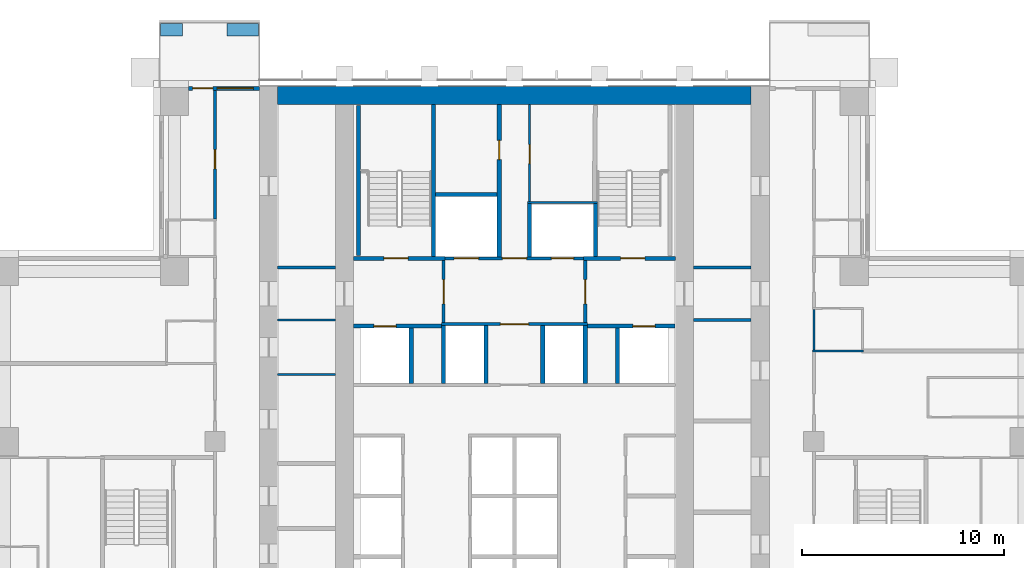
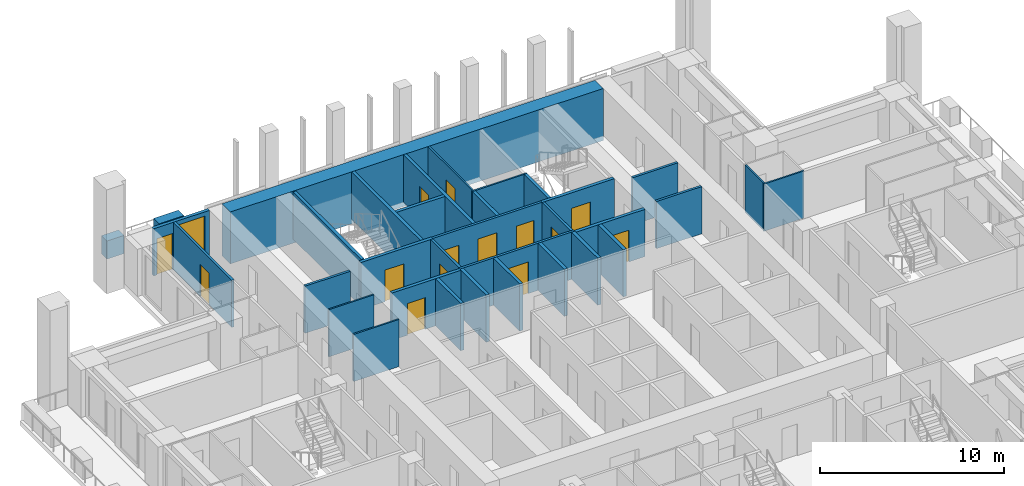
# One storey, part 11 of 18: 34 walls, 14 doors, 1 window, 15 openings.
"""IFC4 building model written with IfcOpenShell, lengths in metres."""

from ifc_helpers import new_model, si_unit, direction, frame, frame_2d, origin, place, context, subcontext, project, spatial, rectangle, extrude, material, layer, layer_set, type_object, element, fill, save


model = new_model("IFC4")

# Units and contexts
model_context = context("Model", 3, precision=1e-05, world=origin(), true_north=direction((0.0, 1.0)))
body_context = subcontext(model_context, "Body", "Model", "MODEL_VIEW")
ifc_project = project(units=[si_unit("LENGTHUNIT", "METRE"), si_unit("AREAUNIT", "SQUARE_METRE"), si_unit("VOLUMEUNIT", "CUBIC_METRE"), si_unit("PLANEANGLEUNIT", "RADIAN"), si_unit("MASSUNIT", "GRAM", prefix="KILO")], contexts=[model_context])

# Site, building, storey
site_placement = place(None, origin())
site = spatial("IfcSite", under=ifc_project, at=site_placement, CompositionType="ELEMENT")
building_placement = place(site_placement, origin())
building = spatial("IfcBuilding", under=site, at=building_placement, Name="Vermilion Ogive Tower", CompositionType="ELEMENT")
storey_placement = place(building_placement, frame((0.0, 0.0, 55.199951171875)))
storey = spatial("IfcBuildingStorey", under=building, at=storey_placement, Name="L12", CompositionType="ELEMENT", Elevation=55.199951171875)

# Walls
ifc_material_1 = material(Name="Gypsum board partition on steel studs", Category="steel")
ifc_layer_1 = layer(ifc_material_1, 0.10009765625)
ifc_layer_set_1 = layer_set([ifc_layer_1], Name="Partition 100 bath")
wall_type_1 = type_object("IfcWallType", Name="Partition 100 bath", PredefinedType="PARTITIONING", material=ifc_layer_set_1)
wall_1_placement = place(storey_placement, frame((14.72509765625, 8.679931640625, 0.0), z_axis=(0.0, 0.0, 1.0), x_axis=(1.0, 0.0, 0.0)))
element("IfcWall", 1, at=wall_1_placement, inside=storey, type_object=wall_type_1, Name="L12-W-W031", PredefinedType="PARTITIONING", context=body_context, shape_type="SweptSolid", body=[
    extrude(rectangle(XDim=2.52490234375, YDim=0.10009765625, at=frame_2d((1.262451171875, 0.0))), origin(), (0.0, 0.0, 1.0), 3.130126953125),
])
wall_2_placement = place(storey_placement, frame((14.800048828125, 8.72998046875, 0.0), z_axis=(0.0, 0.0, 1.0), x_axis=(0.0, 1.0, 0.0)))
element("IfcWall", 2, at=wall_2_placement, inside=storey, type_object=wall_type_1, Name="L12-W-W072", PredefinedType="PARTITIONING", context=body_context, shape_type="SweptSolid", body=[
    extrude(rectangle(XDim=2.0, YDim=0.10009765625, at=frame_2d((1.0, 0.0))), origin(), (0.0, 0.0, 1.0), 3.130126953125),
])
wall_3_placement = place(storey_placement, frame((0.64990234375, 16.0, 0.0), z_axis=(0.0, 0.0, 1.0), x_axis=(1.0, 0.0, 0.0)))
element("IfcWall", 3, at=wall_3_placement, inside=storey, type_object=wall_type_1, Name="L12-CK-W-W020", PredefinedType="PARTITIONING", context=body_context, shape_type="SweptSolid", body=[
    extrude(rectangle(XDim=3.4501953125, YDim=0.10009765625, at=frame_2d((1.72509765625, 0.0))), origin(), (0.0, 0.0, 1.0), 3.130126953125),
])

# Wall, opening, door
wall_4_placement = place(storey_placement, frame((0.75, 16.050048828125, 0.0), z_axis=(0.0, 0.0, 1.0), x_axis=(0.0, 1.0, 0.0)))
wall_4 = element("IfcWall", 4, at=wall_4_placement, inside=storey, type_object=wall_type_1, Name="L12-CK-W-W032", PredefinedType="PARTITIONING", context=body_context, shape_type="SweptSolid", body=[
    extrude(rectangle(XDim=4.799072265625, YDim=0.10009765625, at=frame_2d((2.3994140625, 0.0))), origin(), (0.0, 0.0, 1.0), 3.130126953125),
])
opening_1_placement = place(wall_4_placement, frame((1.875, 0.0, 0.0)))
opening_1 = element("IfcOpeningElement", 5, at=opening_1_placement, cuts=wall_4, Name="Opening DAA076", PredefinedType="OPENING", context=body_context, shape_type="SweptSolid", body=[
    extrude(rectangle(XDim=0.949951171875, YDim=2.10009765625, at=frame_2d((0.47509765625, 1.050048828125))), frame((0.0, 0.06005859375, 0.0), z_axis=(0.0, -1.0, 0.0), x_axis=(1.0, 0.0, 0.0)), (0.0, 0.0, 1.0), 0.1201171875),
])
ifc_material_2 = material(Name="Timber door leaf", Category="wood")
door_type_1 = type_object("IfcDoorType", Name="Service door 950 x 2100 FD60", OperationType="SINGLE_SWING_LEFT", PredefinedType="DOOR", material=ifc_material_2)
door_1_placement = place(opening_1_placement, origin())
door_1 = element("IfcDoor", 6, at=door_1_placement, inside=storey, type_object=door_type_1, Name="L12-CK-D-D021", OperationType="SINGLE_SWING_LEFT", OverallHeight=2.10009765625, OverallWidth=0.949951171875, PredefinedType="DOOR", context=body_context, shape_type="SweptSolid", body=[
    extrude(rectangle(XDim=0.949951171875, YDim=2.10009765625, at=frame_2d((0.47509765625, 1.050048828125))), frame((0.0, 0.02490234375, 0.0), z_axis=(0.0, -1.0, 0.0), x_axis=(1.0, 0.0, 0.0)), (0.0, 0.0, 1.0), 0.050048828125),
])
fill(opening_1, door_1)

# Walls
for number, where, z_axis, x_axis, name in (
    (7, (-11.698974609375, 7.5, 0.0), (0.0, 0.0, 1.0), (1.0, 0.0, 0.0), "L12-CKW-W-W004"),
    (8, (-11.698974609375, 10.199951171875, 0.0), (0.0, 0.0, 1.0), (1.0, 0.0, 0.0), "L12-CKW-W-W005"),
):
    element("IfcWall", number, at=place(storey_placement, frame(where, z_axis=z_axis, x_axis=x_axis)), inside=storey, type_object=wall_type_1, Name=name, PredefinedType="PARTITIONING", context=body_context, shape_type="SweptSolid", body=[
        extrude(rectangle(XDim=2.847900390625, YDim=0.10009765625, at=frame_2d((1.423828125, 0.0))), origin(), (0.0, 0.0, 1.0), 3.130126953125),
    ])

# Wall, opening, door
ifc_material_3 = material(Name="Gypsum board partition on steel studs", Category="steel")
ifc_layer_2 = layer(ifc_material_3, 0.14990234375)
ifc_layer_set_2 = layer_set([ifc_layer_2], Name="Partition 150 corridor")
wall_type_2 = type_object("IfcWallType", Name="Partition 150 corridor", PredefinedType="PARTITIONING", material=ifc_layer_set_2)
wall_5_placement = place(storey_placement, frame((-14.800048828125, 15.199951171875, 0.0), z_axis=(0.0, 0.0, 1.0), x_axis=(0.0, 1.0, 0.0)))
wall_5 = element("IfcWall", 9, at=wall_5_placement, inside=storey, type_object=wall_type_2, Name="L12-W-W053", PredefinedType="PARTITIONING", context=body_context, shape_type="SweptSolid", body=[
    extrude(rectangle(XDim=6.35009765625, YDim=0.14990234375, at=frame_2d((3.175048828125, 0.0))), origin(), (0.0, 0.0, 1.0), 3.130126953125),
])
opening_2_placement = place(wall_5_placement, frame((2.47509765625, 0.0, 0.0)))
opening_2 = element("IfcOpeningElement", 10, at=opening_2_placement, cuts=wall_5, Name="Opening D1G4010", PredefinedType="OPENING", context=body_context, shape_type="SweptSolid", body=[
    extrude(rectangle(XDim=0.949951171875, YDim=2.10009765625, at=frame_2d((0.47509765625, 1.050048828125))), frame((0.0, 0.0849609375, 0.0), z_axis=(0.0, -1.0, 0.0), x_axis=(1.0, 0.0, 0.0)), (0.0, 0.0, 1.0), 0.169921875),
])
ifc_material_4 = material(Name="Timber door leaf", Category="wood")
door_type_2 = type_object("IfcDoorType", Name="Unit door 950 x 2100 FD30S", OperationType="SINGLE_SWING_LEFT", PredefinedType="DOOR", material=ifc_material_4)
door_2_placement = place(opening_2_placement, origin())
door_2 = element("IfcDoor", 11, at=door_2_placement, inside=storey, type_object=door_type_2, Name="L12-D-D010", OperationType="SINGLE_SWING_RIGHT", OverallHeight=2.10009765625, OverallWidth=0.949951171875, PredefinedType="DOOR", context=body_context, shape_type="SweptSolid", body=[
    extrude(rectangle(XDim=0.949951171875, YDim=2.10009765625, at=frame_2d((0.47509765625, 1.050048828125))), frame((0.0, 0.02490234375, 0.0), z_axis=(0.0, -1.0, 0.0), x_axis=(1.0, 0.0, 0.0)), (0.0, 0.0, 1.0), 0.050048828125),
])
fill(opening_2, door_2)

wall_6_placement = place(storey_placement, frame((-3.60009765625, 10.0, 0.0), z_axis=(0.0, 0.0, 1.0), x_axis=(1.0, 0.0, 0.0)))
wall_6 = element("IfcWall", 12, at=wall_6_placement, inside=storey, type_object=wall_type_2, Name="L12-CK-W-W016", PredefinedType="PARTITIONING", context=body_context, shape_type="SweptSolid", body=[
    extrude(rectangle(XDim=7.2001953125, YDim=0.14990234375, at=frame_2d((3.60009765625, 0.0))), origin(), (0.0, 0.0, 1.0), 3.130126953125),
])
opening_3_placement = place(wall_6_placement, frame((2.900146484375, 0.0, 0.0)))
opening_3 = element("IfcOpeningElement", 13, at=opening_3_placement, cuts=wall_6, Name="Opening DAA071", PredefinedType="OPENING", context=body_context, shape_type="SweptSolid", body=[
    extrude(rectangle(XDim=1.39990234375, YDim=2.10009765625, at=frame_2d((0.699951171875, 1.050048828125))), frame((0.0, 0.0849609375, 0.0), z_axis=(0.0, -1.0, 0.0), x_axis=(1.0, 0.0, 0.0)), (0.0, 0.0, 1.0), 0.169921875),
])
ifc_material_5 = material(Name="Timber door leaf", Category="wood")
door_type_3 = type_object("IfcDoorType", Name="Lobby door 1400 x 2100 FD60S", OperationType="SINGLE_SWING_LEFT", PredefinedType="DOOR", material=ifc_material_5)
door_3_placement = place(opening_3_placement, origin())
door_3 = element("IfcDoor", 14, at=door_3_placement, inside=storey, type_object=door_type_3, Name="L12-CK-D-D016", OperationType="SINGLE_SWING_RIGHT", OverallHeight=2.10009765625, OverallWidth=1.39990234375, PredefinedType="DOOR", context=body_context, shape_type="SweptSolid", body=[
    extrude(rectangle(XDim=1.39990234375, YDim=2.10009765625, at=frame_2d((0.699951171875, 1.050048828125))), frame((0.0, 0.02490234375, 0.0), z_axis=(0.0, -1.0, 0.0), x_axis=(1.0, 0.0, 0.0)), (0.0, 0.0, 1.0), 0.050048828125),
])
fill(opening_3, door_3)

# Wall, openings, doors
wall_7_placement = place(storey_placement, frame((-3.574951171875, 13.25, 0.0), z_axis=(0.0, 0.0, 1.0), x_axis=(1.0, 0.0, 0.0)))
wall_7 = element("IfcWall", 15, at=wall_7_placement, inside=storey, type_object=wall_type_2, Name="L12-CK-W-W018", PredefinedType="PARTITIONING", context=body_context, shape_type="SweptSolid", body=[
    extrude(rectangle(XDim=7.14990234375, YDim=0.14990234375, at=frame_2d((3.574951171875, 0.0))), origin(), (0.0, 0.0, 1.0), 3.130126953125),
])
opening_4_placement = place(wall_7_placement, frame((0.599853515625, 0.0, 0.0)))
opening_4 = element("IfcOpeningElement", 16, at=opening_4_placement, cuts=wall_7, Name="Opening DAA090", PredefinedType="OPENING", context=body_context, shape_type="SweptSolid", body=[
    extrude(rectangle(XDim=1.199951171875, YDim=2.10009765625, at=frame_2d((0.60009765625, 1.050048828125))), frame((0.0, 0.0849609375, 0.0), z_axis=(0.0, -1.0, 0.0), x_axis=(1.0, 0.0, 0.0)), (0.0, 0.0, 1.0), 0.169921875),
])
opening_5_placement = place(wall_7_placement, frame((5.39990234375, 0.0, 0.0)))
opening_5 = element("IfcOpeningElement", 17, at=opening_5_placement, cuts=wall_7, Name="Opening DAA081", PredefinedType="OPENING", context=body_context, shape_type="SweptSolid", body=[
    extrude(rectangle(XDim=1.10009765625, YDim=2.10009765625, at=frame_2d((0.550048828125, 1.050048828125))), frame((0.0, 0.0849609375, 0.0), z_axis=(0.0, -1.0, 0.0), x_axis=(1.0, 0.0, 0.0)), (0.0, 0.0, 1.0), 0.169921875),
])
opening_6_placement = place(wall_7_placement, frame((2.974853515625, 0.0, 0.0)))
opening_6 = element("IfcOpeningElement", 18, at=opening_6_placement, cuts=wall_7, Name="Opening DAA072", PredefinedType="OPENING", context=body_context, shape_type="SweptSolid", body=[
    extrude(rectangle(XDim=1.199951171875, YDim=2.10009765625, at=frame_2d((0.60009765625, 1.050048828125))), frame((0.0, 0.0849609375, 0.0), z_axis=(0.0, -1.0, 0.0), x_axis=(1.0, 0.0, 0.0)), (0.0, 0.0, 1.0), 0.169921875),
])
ifc_material_6 = material(Name="Stainless steel", Category="steel")
door_type_4 = type_object("IfcDoorType", Name="Lift landing door 1100 x 2100", OperationType="SLIDING_TO_LEFT", PredefinedType="DOOR", material=ifc_material_6)
door_4_placement = place(opening_5_placement, origin())
door_4 = element("IfcDoor", 19, at=door_4_placement, inside=storey, type_object=door_type_4, Name="L12-CK-D-D018", OperationType="SLIDING_TO_LEFT", OverallHeight=2.10009765625, OverallWidth=1.10009765625, PredefinedType="DOOR", context=body_context, shape_type="SweptSolid", body=[
    extrude(rectangle(XDim=1.10009765625, YDim=2.10009765625, at=frame_2d((0.550048828125, 1.050048828125))), frame((0.0, 0.02490234375, 0.0), z_axis=(0.0, -1.0, 0.0), x_axis=(1.0, 0.0, 0.0)), (0.0, 0.0, 1.0), 0.050048828125),
])
fill(opening_5, door_4)
ifc_material_7 = material(Name="Stainless steel", Category="steel")
door_type_5 = type_object("IfcDoorType", Name="Lift landing door 1200 x 2100", OperationType="SLIDING_TO_LEFT", PredefinedType="DOOR", material=ifc_material_7)
door_5_placement = place(opening_4_placement, origin())
door_5 = element("IfcDoor", 20, at=door_5_placement, inside=storey, type_object=door_type_5, Name="L12-CK-D-D017", OperationType="SLIDING_TO_RIGHT", OverallHeight=2.10009765625, OverallWidth=1.199951171875, PredefinedType="DOOR", context=body_context, shape_type="SweptSolid", body=[
    extrude(rectangle(XDim=1.199951171875, YDim=2.10009765625, at=frame_2d((0.60009765625, 1.050048828125))), frame((0.0, 0.02490234375, 0.0), z_axis=(0.0, -1.0, 0.0), x_axis=(1.0, 0.0, 0.0)), (0.0, 0.0, 1.0), 0.050048828125),
])
fill(opening_4, door_5)
ifc_material_8 = material(Name="Timber door leaf", Category="wood")
door_type_6 = type_object("IfcDoorType", Name="Service door 1200 x 2100 FD60", OperationType="SINGLE_SWING_LEFT", PredefinedType="DOOR", material=ifc_material_8)
door_6_placement = place(opening_6_placement, origin())
door_6 = element("IfcDoor", 21, at=door_6_placement, inside=storey, type_object=door_type_6, Name="L12-CK-D-D019", OperationType="SINGLE_SWING_RIGHT", OverallHeight=2.10009765625, OverallWidth=1.199951171875, PredefinedType="DOOR", context=body_context, shape_type="SweptSolid", body=[
    extrude(rectangle(XDim=1.199951171875, YDim=2.10009765625, at=frame_2d((0.60009765625, 1.050048828125))), frame((0.0, 0.02490234375, 0.0), z_axis=(0.0, -1.0, 0.0), x_axis=(1.0, 0.0, 0.0)), (0.0, 0.0, 1.0), 0.050048828125),
])
fill(opening_6, door_6)

# Wall, opening, door
wall_8_placement = place(storey_placement, frame((-3.5, 10.074951171875, 0.0), z_axis=(0.0, 0.0, 1.0), x_axis=(0.0, 1.0, 0.0)))
wall_8 = element("IfcWall", 22, at=wall_8_placement, inside=storey, type_object=wall_type_2, Name="L12-CK-W-W026", PredefinedType="PARTITIONING", context=body_context, shape_type="SweptSolid", body=[
    extrude(rectangle(XDim=3.074951171875, YDim=0.14990234375, at=frame_2d((1.53759765625, 0.0))), origin(), (0.0, 0.0, 1.0), 3.130126953125),
])
opening_7_placement = place(wall_8_placement, frame((0.925048828125, 0.0, 0.0)))
opening_7 = element("IfcOpeningElement", 23, at=opening_7_placement, cuts=wall_8, Name="Opening DAA068", PredefinedType="OPENING", context=body_context, shape_type="SweptSolid", body=[
    extrude(rectangle(XDim=1.199951171875, YDim=2.10009765625, at=frame_2d((0.60009765625, 1.050048828125))), frame((0.0, 0.0849609375, 0.0), z_axis=(0.0, -1.0, 0.0), x_axis=(1.0, 0.0, 0.0)), (0.0, 0.0, 1.0), 0.169921875),
])
ifc_material_9 = material(Name="Timber door leaf", Category="wood")
door_type_7 = type_object("IfcDoorType", Name="Lobby door 1200 x 2100 FD60S", OperationType="SINGLE_SWING_LEFT", PredefinedType="DOOR", material=ifc_material_9)
door_7_placement = place(opening_7_placement, origin())
door_7 = element("IfcDoor", 24, at=door_7_placement, inside=storey, type_object=door_type_7, Name="L12-CK-D-D022", OperationType="SINGLE_SWING_RIGHT", OverallHeight=2.10009765625, OverallWidth=1.199951171875, PredefinedType="DOOR", context=body_context, shape_type="SweptSolid", body=[
    extrude(rectangle(XDim=1.199951171875, YDim=2.10009765625, at=frame_2d((0.60009765625, 1.050048828125))), frame((0.0, 0.02490234375, 0.0), z_axis=(0.0, -1.0, 0.0), x_axis=(1.0, 0.0, 0.0)), (0.0, 0.0, 1.0), 0.050048828125),
])
fill(opening_7, door_7)

wall_9_placement = place(storey_placement, frame((3.5, 10.074951171875, 0.0), z_axis=(0.0, 0.0, 1.0), x_axis=(0.0, 1.0, 0.0)))
wall_9 = element("IfcWall", 25, at=wall_9_placement, inside=storey, type_object=wall_type_2, Name="L12-CK-W-W036", PredefinedType="PARTITIONING", context=body_context, shape_type="SweptSolid", body=[
    extrude(rectangle(XDim=3.074951171875, YDim=0.14990234375, at=frame_2d((1.53759765625, 0.0))), origin(), (0.0, 0.0, 1.0), 3.130126953125),
])
opening_8_placement = place(wall_9_placement, frame((0.925048828125, 0.0, 0.0)))
opening_8 = element("IfcOpeningElement", 26, at=opening_8_placement, cuts=wall_9, Name="Opening DAA069", PredefinedType="OPENING", context=body_context, shape_type="SweptSolid", body=[
    extrude(rectangle(XDim=1.199951171875, YDim=2.10009765625, at=frame_2d((0.60009765625, 1.050048828125))), frame((0.0, 0.0849609375, 0.0), z_axis=(0.0, -1.0, 0.0), x_axis=(1.0, 0.0, 0.0)), (0.0, 0.0, 1.0), 0.169921875),
])
door_8_placement = place(opening_8_placement, origin())
door_8 = element("IfcDoor", 27, at=door_8_placement, inside=storey, type_object=door_type_7, Name="L12-CK-D-D023", OperationType="SINGLE_SWING_LEFT", OverallHeight=2.10009765625, OverallWidth=1.199951171875, PredefinedType="DOOR", context=body_context, shape_type="SweptSolid", body=[
    extrude(rectangle(XDim=1.199951171875, YDim=2.10009765625, at=frame_2d((0.60009765625, 1.050048828125))), frame((0.0, 0.02490234375, 0.0), z_axis=(0.0, -1.0, 0.0), x_axis=(1.0, 0.0, 0.0)), (0.0, 0.0, 1.0), 0.050048828125),
])
fill(opening_8, door_8)

# Walls
for number, where, z_axis, x_axis, name in (
    (28, (-11.698974609375, 12.800048828125, 0.0), (0.0, 0.0, 1.0), (1.0, 0.0, 0.0), "L12-CKW-W-W006"),
    (29, (8.85107421875, 10.199951171875, 0.0), (0.0, 0.0, 1.0), (1.0, 0.0, 0.0), "L12-CKE-W-W004"),
    (30, (8.85107421875, 12.800048828125, 0.0), (0.0, 0.0, 1.0), (1.0, 0.0, 0.0), "L12-CKE-W-W005"),
):
    element("IfcWall", number, at=place(storey_placement, frame(where, z_axis=z_axis, x_axis=x_axis)), inside=storey, type_object=wall_type_2, Name=name, PredefinedType="PARTITIONING", context=body_context, shape_type="SweptSolid", body=[
        extrude(rectangle(XDim=2.847900390625, YDim=0.14990234375, at=frame_2d((1.423828125, 0.0))), origin(), (0.0, 0.0, 1.0), 3.130126953125),
    ])

# Wall, opening, door
ifc_material_10 = material(Name="Gypsum board partition on steel studs", Category="steel")
ifc_layer_3 = layer(ifc_material_10, 0.199951171875)
ifc_layer_set_3 = layer_set([ifc_layer_3], Name="Partition 200 party")
wall_type_3 = type_object("IfcWallType", Name="Partition 200 party", PredefinedType="PARTITIONING", material=ifc_layer_set_3)
wall_10_placement = place(storey_placement, frame((-7.948974609375, 9.89990234375, 0.0), z_axis=(0.0, 0.0, 1.0), x_axis=(1.0, 0.0, 0.0)))
wall_10 = element("IfcWall", 31, at=wall_10_placement, inside=storey, type_object=wall_type_3, Name="L12-CK-W-W014", PredefinedType="PARTITIONING", context=body_context, shape_type="SweptSolid", body=[
    extrude(rectangle(XDim=4.348876953125, YDim=0.199951171875, at=frame_2d((2.17431640625, 0.0))), origin(), (0.0, 0.0, 1.0), 3.130126953125),
])
opening_9_placement = place(wall_10_placement, frame((0.9990234375, 0.0, 0.0)))
opening_9 = element("IfcOpeningElement", 32, at=opening_9_placement, cuts=wall_10, Name="Opening DAA089", PredefinedType="OPENING", context=body_context, shape_type="SweptSolid", body=[
    extrude(rectangle(XDim=1.10009765625, YDim=2.10009765625, at=frame_2d((0.550048828125, 1.050048828125))), frame((0.0, 0.10986328125, 0.0), z_axis=(0.0, -1.0, 0.0), x_axis=(1.0, 0.0, 0.0)), (0.0, 0.0, 1.0), 0.219970703125),
])
door_9_placement = place(opening_9_placement, origin())
door_9 = element("IfcDoor", 33, at=door_9_placement, inside=storey, type_object=door_type_4, Name="L12-CK-D-D012", OperationType="SLIDING_TO_RIGHT", OverallHeight=2.10009765625, OverallWidth=1.10009765625, PredefinedType="DOOR", context=body_context, shape_type="SweptSolid", body=[
    extrude(rectangle(XDim=1.10009765625, YDim=2.10009765625, at=frame_2d((0.550048828125, 1.050048828125))), frame((0.0, 0.02490234375, 0.0), z_axis=(0.0, -1.0, 0.0), x_axis=(1.0, 0.0, 0.0)), (0.0, 0.0, 1.0), 0.050048828125),
])
fill(opening_9, door_9)

wall_11_placement = place(storey_placement, frame((3.60009765625, 9.89990234375, 0.0), z_axis=(0.0, 0.0, 1.0), x_axis=(1.0, 0.0, 0.0)))
wall_11 = element("IfcWall", 34, at=wall_11_placement, inside=storey, type_object=wall_type_3, Name="L12-CK-W-W015", PredefinedType="PARTITIONING", context=body_context, shape_type="SweptSolid", body=[
    extrude(rectangle(XDim=4.348876953125, YDim=0.199951171875, at=frame_2d((2.17431640625, 0.0))), origin(), (0.0, 0.0, 1.0), 3.130126953125),
])
opening_10_placement = place(wall_11_placement, frame((2.25, 0.0, 0.0)))
opening_10 = element("IfcOpeningElement", 35, at=opening_10_placement, cuts=wall_11, Name="Opening DAA080", PredefinedType="OPENING", context=body_context, shape_type="SweptSolid", body=[
    extrude(rectangle(XDim=1.10009765625, YDim=2.10009765625, at=frame_2d((0.550048828125, 1.050048828125))), frame((0.0, 0.10986328125, 0.0), z_axis=(0.0, -1.0, 0.0), x_axis=(1.0, 0.0, 0.0)), (0.0, 0.0, 1.0), 0.219970703125),
])
door_10_placement = place(opening_10_placement, origin())
door_10 = element("IfcDoor", 36, at=door_10_placement, inside=storey, type_object=door_type_4, Name="L12-CK-D-D014", OperationType="SLIDING_TO_LEFT", OverallHeight=2.10009765625, OverallWidth=1.10009765625, PredefinedType="DOOR", context=body_context, shape_type="SweptSolid", body=[
    extrude(rectangle(XDim=1.10009765625, YDim=2.10009765625, at=frame_2d((0.550048828125, 1.050048828125))), frame((0.0, 0.02490234375, 0.0), z_axis=(0.0, -1.0, 0.0), x_axis=(1.0, 0.0, 0.0)), (0.0, 0.0, 1.0), 0.050048828125),
])
fill(opening_10, door_10)

# Walls
wall_12_placement = place(storey_placement, frame((-3.89990234375, 16.39990234375, 0.0), z_axis=(0.0, 0.0, 1.0), x_axis=(1.0, 0.0, 0.0)))
element("IfcWall", 37, at=wall_12_placement, inside=storey, type_object=wall_type_3, Name="L12-CK-W-W021", PredefinedType="PARTITIONING", context=body_context, shape_type="SweptSolid", body=[
    extrude(rectangle(XDim=3.0498046875, YDim=0.199951171875, at=frame_2d((1.52490234375, 0.0))), origin(), (0.0, 0.0, 1.0), 3.130126953125),
])
wall_13_placement = place(storey_placement, frame((-5.10009765625, 7.074951171875, 0.0), z_axis=(0.0, 0.0, 1.0), x_axis=(0.0, 1.0, 0.0)))
element("IfcWall", 38, at=wall_13_placement, inside=storey, type_object=wall_type_3, Name="L12-CK-W-W023", PredefinedType="PARTITIONING", context=body_context, shape_type="SweptSolid", body=[
    extrude(rectangle(XDim=2.72509765625, YDim=0.199951171875, at=frame_2d((1.362548828125, 0.0))), origin(), (0.0, 0.0, 1.0), 3.130126953125),
])
for number, where, z_axis, x_axis, name in (
    (39, (-3.5, 7.074951171875, 0.0), (0.0, 0.0, 1.0), (0.0, 1.0, 0.0), "L12-CK-W-W025"),
    (40, (-1.39990234375, 7.074951171875, 0.0), (0.0, 0.0, 1.0), (0.0, 1.0, 0.0), "L12-CK-W-W028"),
):
    element("IfcWall", number, at=place(storey_placement, frame(where, z_axis=z_axis, x_axis=x_axis)), inside=storey, type_object=wall_type_3, Name=name, PredefinedType="PARTITIONING", context=body_context, shape_type="SweptSolid", body=[
        extrude(rectangle(XDim=2.85009765625, YDim=0.199951171875, at=frame_2d((1.425048828125, 0.0))), origin(), (0.0, 0.0, 1.0), 3.130126953125),
    ])

# Wall, opening, door
wall_14_placement = place(storey_placement, frame((-0.75, 13.324951171875, 0.0), z_axis=(0.0, 0.0, 1.0), x_axis=(0.0, 1.0, 0.0)))
wall_14 = element("IfcWall", 41, at=wall_14_placement, inside=storey, type_object=wall_type_3, Name="L12-CK-W-W029", PredefinedType="PARTITIONING", context=body_context, shape_type="SweptSolid", body=[
    extrude(rectangle(XDim=7.524169921875, YDim=0.199951171875, at=frame_2d((3.76220703125, 0.0))), origin(), (0.0, 0.0, 1.0), 3.130126953125),
])
opening_11_placement = place(wall_14_placement, frame((4.800048828125, 0.0, 0.0)))
opening_11 = element("IfcOpeningElement", 42, at=opening_11_placement, cuts=wall_14, Name="Opening DAA075", PredefinedType="OPENING", context=body_context, shape_type="SweptSolid", body=[
    extrude(rectangle(XDim=0.949951171875, YDim=2.10009765625, at=frame_2d((0.47509765625, 1.050048828125))), frame((0.0, 0.10986328125, 0.0), z_axis=(0.0, -1.0, 0.0), x_axis=(1.0, 0.0, 0.0)), (0.0, 0.0, 1.0), 0.219970703125),
])
door_11_placement = place(opening_11_placement, origin())
door_11 = element("IfcDoor", 43, at=door_11_placement, inside=storey, type_object=door_type_1, Name="L12-CK-D-D020", OperationType="SINGLE_SWING_RIGHT", OverallHeight=2.10009765625, OverallWidth=0.949951171875, PredefinedType="DOOR", context=body_context, shape_type="SweptSolid", body=[
    extrude(rectangle(XDim=0.949951171875, YDim=2.10009765625, at=frame_2d((0.47509765625, 1.050048828125))), frame((0.0, 0.02490234375, 0.0), z_axis=(0.0, -1.0, 0.0), x_axis=(1.0, 0.0, 0.0)), (0.0, 0.0, 1.0), 0.050048828125),
])
fill(opening_11, door_11)

# Walls
wall_15_placement = place(storey_placement, frame((0.75, 13.324951171875, 0.0), z_axis=(0.0, 0.0, 1.0), x_axis=(0.0, 1.0, 0.0)))
element("IfcWall", 44, at=wall_15_placement, inside=storey, type_object=wall_type_3, Name="L12-CK-W-W031", PredefinedType="PARTITIONING", context=body_context, shape_type="SweptSolid", body=[
    extrude(rectangle(XDim=2.625, YDim=0.199951171875, at=frame_2d((1.3125, 0.0))), origin(), (0.0, 0.0, 1.0), 3.130126953125),
])
for number, where, z_axis, x_axis, name in (
    (45, (1.39990234375, 7.074951171875, 0.0), (0.0, 0.0, 1.0), (0.0, 1.0, 0.0), "L12-CK-W-W033"),
    (46, (3.5, 7.074951171875, 0.0), (0.0, 0.0, 1.0), (0.0, 1.0, 0.0), "L12-CK-W-W035"),
):
    element("IfcWall", number, at=place(storey_placement, frame(where, z_axis=z_axis, x_axis=x_axis)), inside=storey, type_object=wall_type_3, Name=name, PredefinedType="PARTITIONING", context=body_context, shape_type="SweptSolid", body=[
        extrude(rectangle(XDim=2.85009765625, YDim=0.199951171875, at=frame_2d((1.425048828125, 0.0))), origin(), (0.0, 0.0, 1.0), 3.130126953125),
    ])
wall_16_placement = place(storey_placement, frame((5.10009765625, 7.074951171875, 0.0), z_axis=(0.0, 0.0, 1.0), x_axis=(0.0, 1.0, 0.0)))
element("IfcWall", 47, at=wall_16_placement, inside=storey, type_object=wall_type_3, Name="L12-CK-W-W039", PredefinedType="PARTITIONING", context=body_context, shape_type="SweptSolid", body=[
    extrude(rectangle(XDim=2.72509765625, YDim=0.199951171875, at=frame_2d((1.362548828125, 0.0))), origin(), (0.0, 0.0, 1.0), 3.130126953125),
])
ifc_material_11 = material(Name="Concrete B60", Category="concrete")
ifc_layer_4 = layer(ifc_material_11, 0.199951171875)
ifc_layer_set_4 = layer_set([ifc_layer_4], Name="Stair shaft wall 200 Concrete B60")
wall_type_4 = type_object("IfcWallType", Name="Stair shaft wall 200 Concrete B60", PredefinedType="SOLIDWALL", material=ifc_layer_set_4)
wall_17_placement = place(storey_placement, frame((-11.699951171875, 21.300048828125, -0.320068359375), z_axis=(0.0, 0.0, 1.0), x_axis=(1.0, 0.0, 0.0)))
element("IfcWall", 48, at=wall_17_placement, inside=storey, type_object=wall_type_4, Name="L12-CORE-N", PredefinedType="SOLIDWALL", context=body_context, shape_type="SweptSolid", body=[
    extrude(rectangle(XDim=23.39990234375, YDim=0.89990234375, at=frame_2d((11.699951171875, 0.0))), origin(), (0.0, 0.0, 1.0), 3.4501953125),
])

# Wall, opening, door
wall_18_placement = place(storey_placement, frame((-7.948974609375, 13.25, 0.0), z_axis=(0.0, 0.0, 1.0), x_axis=(1.0, 0.0, 0.0)))
wall_18 = element("IfcWall", 49, at=wall_18_placement, inside=storey, type_object=wall_type_4, Name="L12-CK-W-W017", PredefinedType="SOLIDWALL", context=body_context, shape_type="SweptSolid", body=[
    extrude(rectangle(XDim=4.52392578125, YDim=0.199951171875, at=frame_2d((2.261962890625, 0.0))), origin(), (0.0, 0.0, 1.0), 3.130126953125),
])
opening_12_placement = place(wall_18_placement, frame((1.4990234375, 0.0, 0.0)))
opening_12 = element("IfcOpeningElement", 50, at=opening_12_placement, cuts=wall_18, Name="Opening DAA077", PredefinedType="OPENING", context=body_context, shape_type="SweptSolid", body=[
    extrude(rectangle(XDim=1.199951171875, YDim=2.10009765625, at=frame_2d((0.60009765625, 1.050048828125))), frame((0.0, 0.10986328125, 0.0), z_axis=(0.0, -1.0, 0.0), x_axis=(1.0, 0.0, 0.0)), (0.0, 0.0, 1.0), 0.219970703125),
])
ifc_material_12 = material(Name="Timber door leaf", Category="wood")
door_type_8 = type_object("IfcDoorType", Name="Stair door 1200 x 2100 FD60S", OperationType="SINGLE_SWING_LEFT", PredefinedType="DOOR", material=ifc_material_12)
door_12_placement = place(opening_12_placement, origin())
door_12 = element("IfcDoor", 51, at=door_12_placement, inside=storey, type_object=door_type_8, Name="L12-CK-D-D011", OperationType="SINGLE_SWING_LEFT", OverallHeight=2.10009765625, OverallWidth=1.199951171875, PredefinedType="DOOR", context=body_context, shape_type="SweptSolid", body=[
    extrude(rectangle(XDim=1.199951171875, YDim=2.10009765625, at=frame_2d((0.60009765625, 1.050048828125))), frame((0.0, 0.02490234375, 0.0), z_axis=(0.0, -1.0, 0.0), x_axis=(1.0, 0.0, 0.0)), (0.0, 0.0, 1.0), 0.050048828125),
])
fill(opening_12, door_12)

wall_19_placement = place(storey_placement, frame((3.425048828125, 13.25, 0.0), z_axis=(0.0, 0.0, 1.0), x_axis=(1.0, 0.0, 0.0)))
wall_19 = element("IfcWall", 52, at=wall_19_placement, inside=storey, type_object=wall_type_4, Name="L12-CK-W-W019", PredefinedType="SOLIDWALL", context=body_context, shape_type="SweptSolid", body=[
    extrude(rectangle(XDim=4.52392578125, YDim=0.199951171875, at=frame_2d((2.261962890625, 0.0))), origin(), (0.0, 0.0, 1.0), 3.130126953125),
])
opening_13_placement = place(wall_19_placement, frame((1.824951171875, 0.0, 0.0)))
opening_13 = element("IfcOpeningElement", 53, at=opening_13_placement, cuts=wall_19, Name="Opening DAA078", PredefinedType="OPENING", context=body_context, shape_type="SweptSolid", body=[
    extrude(rectangle(XDim=1.199951171875, YDim=2.10009765625, at=frame_2d((0.60009765625, 1.050048828125))), frame((0.0, 0.10986328125, 0.0), z_axis=(0.0, -1.0, 0.0), x_axis=(1.0, 0.0, 0.0)), (0.0, 0.0, 1.0), 0.219970703125),
])
door_13_placement = place(opening_13_placement, origin())
door_13 = element("IfcDoor", 54, at=door_13_placement, inside=storey, type_object=door_type_8, Name="L12-CK-D-D013", OperationType="SINGLE_SWING_RIGHT", OverallHeight=2.10009765625, OverallWidth=1.199951171875, PredefinedType="DOOR", context=body_context, shape_type="SweptSolid", body=[
    extrude(rectangle(XDim=1.199951171875, YDim=2.10009765625, at=frame_2d((0.60009765625, 1.050048828125))), frame((0.0, 0.02490234375, 0.0), z_axis=(0.0, -1.0, 0.0), x_axis=(1.0, 0.0, 0.0)), (0.0, 0.0, 1.0), 0.050048828125),
])
fill(opening_13, door_13)

# Walls
wall_20_placement = place(storey_placement, frame((-4.0, 13.35009765625, 0.0), z_axis=(0.0, 0.0, 1.0), x_axis=(0.0, 1.0, 0.0)))
element("IfcWall", 55, at=wall_20_placement, inside=storey, type_object=wall_type_4, Name="L12-CK-W-W024", PredefinedType="SOLIDWALL", context=body_context, shape_type="SweptSolid", body=[
    extrude(rectangle(XDim=7.4990234375, YDim=0.199951171875, at=frame_2d((3.74951171875, 0.0))), origin(), (0.0, 0.0, 1.0), 3.130126953125),
])
wall_21_placement = place(storey_placement, frame((4.0, 13.35009765625, 0.0), z_axis=(0.0, 0.0, 1.0), x_axis=(0.0, 1.0, 0.0)))
element("IfcWall", 56, at=wall_21_placement, inside=storey, type_object=wall_type_4, Name="L12-CK-W-W037", PredefinedType="SOLIDWALL", context=body_context, shape_type="SweptSolid", body=[
    extrude(rectangle(XDim=2.599853515625, YDim=0.199951171875, at=frame_2d((1.2998046875, 0.0))), origin(), (0.0, 0.0, 1.0), 3.130126953125),
])
wall_22_placement = place(storey_placement, frame((-7.699951171875, 13.39990234375, 0.0), z_axis=(0.0, 0.0, 1.0), x_axis=(0.0, 1.0, 0.0)))
element("IfcWall", 57, at=wall_22_placement, inside=storey, type_object=wall_type_4, Name="L12-SW-R022-W1", PredefinedType="SOLIDWALL", context=body_context, shape_type="SweptSolid", body=[
    extrude(rectangle(XDim=7.400146484375, YDim=0.199951171875, at=frame_2d((3.7001953125, 0.0))), origin(), (0.0, 0.0, 1.0), 3.130126953125),
])
ifc_material_13 = material(Name="Concrete B40", Category="concrete")
ifc_layer_5 = layer(ifc_material_13, 0.60009765625)
ifc_layer_set_5 = layer_set([ifc_layer_5], Name="Structural planter")
wall_type_5 = type_object("IfcWallType", Name="Structural planter", PredefinedType="USERDEFINED", material=ifc_layer_set_5)
wall_23_placement = place(storey_placement, frame((-12.659912109375, 24.550048828125, -0.0400390625), z_axis=(0.0, 0.0, 1.0), x_axis=(-1.0, 0.0, 0.0)))
element("IfcWall", 58, at=wall_23_placement, inside=storey, type_object=wall_type_5, Name="Planter N201A1", ObjectType="PLANTER", PredefinedType="USERDEFINED", context=body_context, shape_type="SweptSolid", body=[
    extrude(rectangle(XDim=1.5400390625, YDim=0.60009765625, at=frame_2d((0.77001953125, 0.0))), origin(), (0.0, 0.0, 1.0), 1.2001953125),
])
wall_24_placement = place(storey_placement, frame((-16.39990234375, 24.550048828125, -0.0400390625), z_axis=(0.0, 0.0, 1.0), x_axis=(-1.0, 0.0, 0.0)))
element("IfcWall", 59, at=wall_24_placement, inside=storey, type_object=wall_type_5, Name="Planter N201A2", ObjectType="PLANTER", PredefinedType="USERDEFINED", context=body_context, shape_type="SweptSolid", body=[
    extrude(rectangle(XDim=1.090087890625, YDim=0.60009765625, at=frame_2d((0.544921875, 0.0))), origin(), (0.0, 0.0, 1.0), 1.2001953125),
])

# Wall, openings, door, window
ifc_material_14 = material(Name="Aluminium window wall framing", Category="aluminium")
ifc_layer_6 = layer(ifc_material_14, 0.199951171875)
ifc_layer_set_6 = layer_set([ifc_layer_6], Name="Window wall")
wall_type_6 = type_object("IfcWallType", Name="Window wall", PredefinedType="STANDARD", material=ifc_layer_set_6)
wall_25_placement = place(storey_placement, frame((-12.60009765625, 21.64990234375, 0.0), z_axis=(0.0, 0.0, 1.0), x_axis=(-1.0, 0.0, 0.0)))
wall_25 = element("IfcWall", 60, at=wall_25_placement, inside=storey, type_object=wall_type_6, Name="Window wall N21", PredefinedType="STANDARD", context=body_context, shape_type="SweptSolid", body=[
    extrude(rectangle(XDim=3.5, YDim=0.199951171875, at=frame_2d((1.75, 0.0))), origin(), (0.0, 0.0, 1.0), 3.130126953125),
])
opening_14_placement = place(wall_25_placement, frame((0.300048828125, 0.0, 0.199951171875)))
opening_14 = element("IfcOpeningElement", 61, at=opening_14_placement, cuts=wall_25, Name="Opening W1-N296", PredefinedType="OPENING", context=body_context, shape_type="SweptSolid", body=[
    extrude(rectangle(XDim=1.800048828125, YDim=2.64990234375, at=frame_2d((0.89990234375, 1.324951171875))), frame((0.0, 0.10986328125, 0.0), z_axis=(0.0, -1.0, 0.0), x_axis=(1.0, 0.0, 0.0)), (0.0, 0.0, 1.0), 0.219970703125),
])
opening_15_placement = place(wall_25_placement, frame((2.300048828125, 0.0, 0.0)))
opening_15 = element("IfcOpeningElement", 62, at=opening_15_placement, cuts=wall_25, Name="Opening D1-N296", PredefinedType="OPENING", context=body_context, shape_type="SweptSolid", body=[
    extrude(rectangle(XDim=1.0, YDim=2.39990234375, at=frame_2d((0.5, 1.199951171875))), frame((0.0, 0.10986328125, 0.0), z_axis=(0.0, -1.0, 0.0), x_axis=(1.0, 0.0, 0.0)), (0.0, 0.0, 1.0), 0.219970703125),
])
ifc_material_15 = material(Name="Aluminium framed glazed door", Category="aluminium")
door_type_9 = type_object("IfcDoorType", Name="Balcony door D1", OperationType="SINGLE_SWING_LEFT", PredefinedType="DOOR", material=ifc_material_15)
door_14_placement = place(opening_15_placement, origin())
door_14 = element("IfcDoor", 63, at=door_14_placement, inside=storey, type_object=door_type_9, Name="Balcony door N296", OperationType="SINGLE_SWING_LEFT", OverallHeight=2.39990234375, OverallWidth=1.0, PredefinedType="DOOR", context=body_context, shape_type="SweptSolid", body=[
    extrude(rectangle(XDim=1.0, YDim=2.39990234375, at=frame_2d((0.5, 1.199951171875))), frame((0.0, 0.02490234375, 0.0), z_axis=(0.0, -1.0, 0.0), x_axis=(1.0, 0.0, 0.0)), (0.0, 0.0, 1.0), 0.050048828125),
])
fill(opening_15, door_14)
ifc_material_16 = material(Name="Aluminium framed double glazing", Category="aluminium")
window_type = type_object("IfcWindowType", Name="Guest window W1", PartitioningType="SINGLE_PANEL", PredefinedType="WINDOW", material=ifc_material_16)
window_placement = place(opening_14_placement, origin())
window = element("IfcWindow", 64, at=window_placement, inside=storey, type_object=window_type, Name="Window N296", OverallHeight=2.64990234375, OverallWidth=1.800048828125, PartitioningType="SINGLE_PANEL", PredefinedType="WINDOW", context=body_context, shape_type="SweptSolid", body=[
    extrude(rectangle(XDim=1.800048828125, YDim=2.64990234375, at=frame_2d((0.89990234375, 1.324951171875))), frame((0.0, 0.030029296875, 0.0), z_axis=(0.0, -1.0, 0.0), x_axis=(1.0, 0.0, 0.0)), (0.0, 0.0, 1.0), 0.06005859375),
])
fill(opening_14, window)

save(model, "model.ifc")
